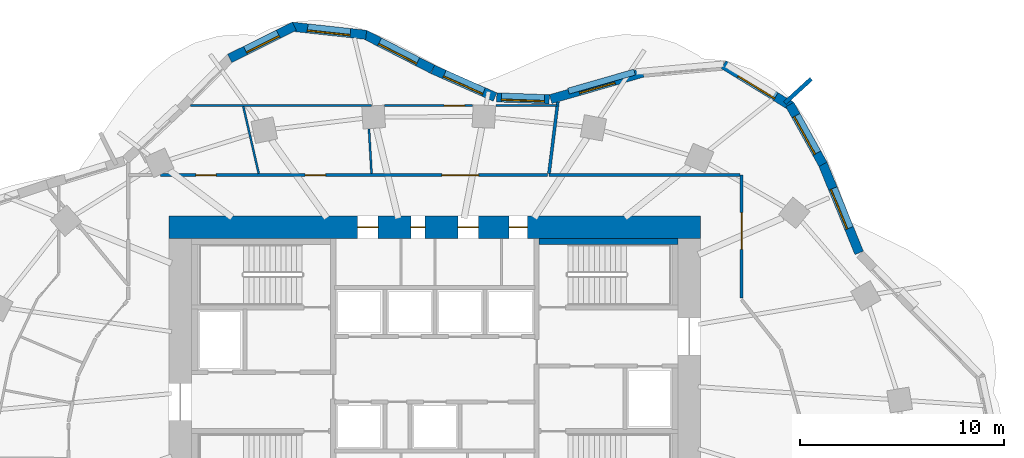
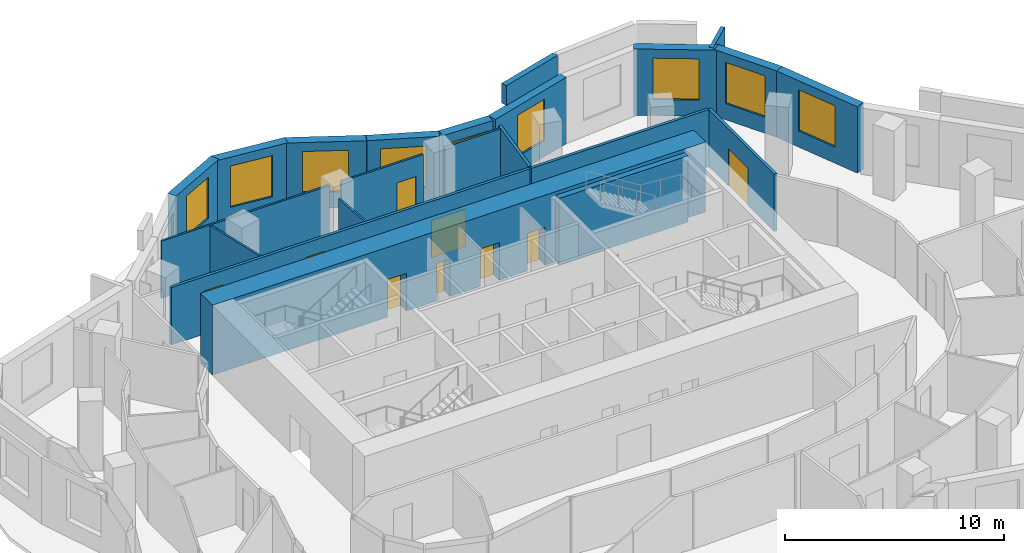
# One storey, part 8 of 10: 22 walls, 9 doors, 9 windows, 18 openings.
"""IFC4 building model written with IfcOpenShell, lengths in metres."""

from ifc_helpers import new_model, si_unit, direction, frame, frame_2d, origin, place, context, subcontext, project, spatial, rectangle, extrude, material, layer, layer_set, type_object, element, fill, save


model = new_model("IFC4")

# Units and contexts
model_context = context("Model", 3, precision=1e-05, world=origin(), true_north=direction((0.0, 1.0)))
body_context = subcontext(model_context, "Body", "Model", "MODEL_VIEW")
ifc_project = project(units=[si_unit("LENGTHUNIT", "METRE"), si_unit("AREAUNIT", "SQUARE_METRE"), si_unit("VOLUMEUNIT", "CUBIC_METRE"), si_unit("PLANEANGLEUNIT", "RADIAN"), si_unit("MASSUNIT", "GRAM", prefix="KILO")], contexts=[model_context])

# Site, building, storey
site_placement = place(None, origin())
site = spatial("IfcSite", under=ifc_project, at=site_placement, CompositionType="ELEMENT")
building_placement = place(site_placement, origin())
building = spatial("IfcBuilding", under=site, at=building_placement, Name="Rubra Terraces Tower", CompositionType="ELEMENT")
storey_placement = place(building_placement, frame((0.0, 0.0, 161.699951171875)))
storey = spatial("IfcBuildingStorey", under=building, at=storey_placement, Name="L39", CompositionType="ELEMENT", Elevation=161.699951171875)

# Wall, opening, window
ifc_material_1 = material(Name="Brick masonry red-brown", Category="masonry")
ifc_layer_1 = layer(ifc_material_1, 0.449951171875)
ifc_layer_set_1 = layer_set([ifc_layer_1], Name="Brick masonry red-brown")
wall_type_1 = type_object("IfcWallType", Name="Brick facade wall 450", PredefinedType="SOLIDWALL", material=ifc_layer_set_1)
wall_1_placement = place(storey_placement, frame((20.753173828125, 10.190673828125, 0.0), z_axis=(0.0, 0.0, 1.0), x_axis=(-0.378471272902, 0.925613037715, 0.0)))
wall_1 = element("IfcWall", 1, at=wall_1_placement, inside=storey, type_object=wall_type_1, Name="Facade wall L39 bay 4", PredefinedType="SOLIDWALL", context=body_context, shape_type="SweptSolid", body=[
    extrude(rectangle(XDim=4.70703125, YDim=0.449951171875, at=frame_2d((2.353515625, 0.0))), origin(), (0.0, 0.0, 1.0), 3.699951171875),
])
opening_1_placement = place(wall_1_placement, frame((1.303466796875, 0.0, 0.89990234375)))
opening_1 = element("IfcOpeningElement", 2, at=opening_1_placement, cuts=wall_1, Name="Opening W1B", PredefinedType="OPENING", context=body_context, shape_type="SweptSolid", body=[
    extrude(rectangle(XDim=2.10009765625, YDim=2.300048828125, at=frame_2d((1.050048828125, 1.14990234375))), frame((0.0, 0.23486328125, 0.0), z_axis=(0.0, -1.0, 0.0), x_axis=(1.0, 0.0, 0.0)), (0.0, 0.0, 1.0), 0.469970703125),
])
ifc_material_2 = material(Name="Clear glass in aluminium frame", Category="aluminium")
window_type_1 = type_object("IfcWindowType", Name="Fixed deep-set window tall storey 2100 x 2300", PartitioningType="SINGLE_PANEL", PredefinedType="WINDOW", material=ifc_material_2)
window_1_placement = place(opening_1_placement, origin())
window_1 = element("IfcWindow", 3, at=window_1_placement, inside=storey, type_object=window_type_1, Name="Window L39 bay 4", OverallHeight=2.300048828125, OverallWidth=2.10009765625, PartitioningType="SINGLE_PANEL", PredefinedType="WINDOW", context=body_context, shape_type="SweptSolid", body=[
    extrude(rectangle(XDim=2.10009765625, YDim=2.300048828125, at=frame_2d((1.050048828125, 1.14990234375))), frame((0.0, 0.135009765625, 0.0), z_axis=(0.0, -1.0, 0.0), x_axis=(1.0, 0.0, 0.0)), (0.0, 0.0, 1.0), 0.06005859375),
])
fill(opening_1, window_1)

wall_2_placement = place(storey_placement, frame((18.9833984375, 14.5234375, 0.0), z_axis=(0.0, 0.0, 1.0), x_axis=(-0.485630534022, 0.874164163316, 0.0)))
wall_2 = element("IfcWall", 4, at=wall_2_placement, inside=storey, type_object=wall_type_1, Name="Facade wall L39 bay 5", PredefinedType="SOLIDWALL", context=body_context, shape_type="SweptSolid", body=[
    extrude(rectangle(XDim=3.34423828125, YDim=0.449951171875, at=frame_2d((1.672119140625, 0.0))), origin(), (0.0, 0.0, 1.0), 3.699951171875),
])
opening_2_placement = place(wall_2_placement, frame((0.6220703125, 0.0, 0.89990234375)))
opening_2 = element("IfcOpeningElement", 5, at=opening_2_placement, cuts=wall_2, Name="Opening W1B", PredefinedType="OPENING", context=body_context, shape_type="SweptSolid", body=[
    extrude(rectangle(XDim=2.10009765625, YDim=2.300048828125, at=frame_2d((1.050048828125, 1.14990234375))), frame((0.0, 0.23486328125, 0.0), z_axis=(0.0, -1.0, 0.0), x_axis=(1.0, 0.0, 0.0)), (0.0, 0.0, 1.0), 0.469970703125),
])
window_2_placement = place(opening_2_placement, origin())
window_2 = element("IfcWindow", 6, at=window_2_placement, inside=storey, type_object=window_type_1, Name="Window L39 bay 5", OverallHeight=2.300048828125, OverallWidth=2.10009765625, PartitioningType="SINGLE_PANEL", PredefinedType="WINDOW", context=body_context, shape_type="SweptSolid", body=[
    extrude(rectangle(XDim=2.10009765625, YDim=2.300048828125, at=frame_2d((1.050048828125, 1.14990234375))), frame((0.0, 0.135009765625, 0.0), z_axis=(0.0, -1.0, 0.0), x_axis=(1.0, 0.0, 0.0)), (0.0, 0.0, 1.0), 0.06005859375),
])
fill(opening_2, window_2)

wall_3_placement = place(storey_placement, frame((17.4384765625, 17.3642578125, 0.0), z_axis=(0.0, 0.0, 1.0), x_axis=(-0.852622865325, 0.522526793117, 0.0)))
wall_3 = element("IfcWall", 7, at=wall_3_placement, inside=storey, type_object=wall_type_1, Name="Facade wall L39 bay 6", PredefinedType="SOLIDWALL", context=body_context, shape_type="SweptSolid", body=[
    extrude(rectangle(XDim=3.896240234375, YDim=0.449951171875, at=frame_2d((1.9482421875, 0.0))), origin(), (0.0, 0.0, 1.0), 3.699951171875),
])
opening_3_placement = place(wall_3_placement, frame((0.898193359375, 0.0, 0.89990234375)))
opening_3 = element("IfcOpeningElement", 8, at=opening_3_placement, cuts=wall_3, Name="Opening W1B", PredefinedType="OPENING", context=body_context, shape_type="SweptSolid", body=[
    extrude(rectangle(XDim=2.10009765625, YDim=2.300048828125, at=frame_2d((1.050048828125, 1.14990234375))), frame((0.0, 0.23486328125, 0.0), z_axis=(0.0, -1.0, 0.0), x_axis=(1.0, 0.0, 0.0)), (0.0, 0.0, 1.0), 0.469970703125),
])
window_3_placement = place(opening_3_placement, origin())
window_3 = element("IfcWindow", 9, at=window_3_placement, inside=storey, type_object=window_type_1, Name="Window L39 bay 6", OverallHeight=2.300048828125, OverallWidth=2.10009765625, PartitioningType="SINGLE_PANEL", PredefinedType="WINDOW", context=body_context, shape_type="SweptSolid", body=[
    extrude(rectangle(XDim=2.10009765625, YDim=2.300048828125, at=frame_2d((1.050048828125, 1.14990234375))), frame((0.0, 0.135009765625, 0.0), z_axis=(0.0, -1.0, 0.0), x_axis=(1.0, 0.0, 0.0)), (0.0, 0.0, 1.0), 0.06005859375),
])
fill(opening_3, window_3)

wall_4_placement = place(storey_placement, frame((10.16748046875, 19.0068359375, 0.0), z_axis=(0.0, 0.0, 1.0), x_axis=(-0.961104057783, -0.276186513271, 0.0)))
wall_4 = element("IfcWall", 10, at=wall_4_placement, inside=storey, type_object=wall_type_1, Name="Facade wall L39 bay 8", PredefinedType="SOLIDWALL", context=body_context, shape_type="SweptSolid", body=[
    extrude(rectangle(XDim=4.68603515625, YDim=0.449951171875, at=frame_2d((2.343017578125, 0.0))), origin(), (0.0, 0.0, 1.0), 3.699951171875),
])
opening_4_placement = place(wall_4_placement, frame((1.443115234375, 0.0, 0.89990234375)))
opening_4 = element("IfcOpeningElement", 11, at=opening_4_placement, cuts=wall_4, Name="Opening W6B", PredefinedType="OPENING", context=body_context, shape_type="SweptSolid", body=[
    extrude(rectangle(XDim=1.800048828125, YDim=2.300048828125, at=frame_2d((0.89990234375, 1.14990234375))), frame((0.0, 0.23486328125, 0.0), z_axis=(0.0, -1.0, 0.0), x_axis=(1.0, 0.0, 0.0)), (0.0, 0.0, 1.0), 0.469970703125),
])
window_type_2 = type_object("IfcWindowType", Name="Fixed deep-set window at wind fin tall storey 1800 x 2300", PartitioningType="SINGLE_PANEL", PredefinedType="WINDOW", material=ifc_material_2)
window_4_placement = place(opening_4_placement, origin())
window_4 = element("IfcWindow", 12, at=window_4_placement, inside=storey, type_object=window_type_2, Name="Window L39 bay 8", OverallHeight=2.300048828125, OverallWidth=1.800048828125, PartitioningType="SINGLE_PANEL", PredefinedType="WINDOW", context=body_context, shape_type="SweptSolid", body=[
    extrude(rectangle(XDim=1.800048828125, YDim=2.300048828125, at=frame_2d((0.89990234375, 1.14990234375))), frame((0.0, 0.135009765625, 0.0), z_axis=(0.0, -1.0, 0.0), x_axis=(1.0, 0.0, 0.0)), (0.0, 0.0, 1.0), 0.06005859375),
])
fill(opening_4, window_4)

wall_5_placement = place(storey_placement, frame((5.593505859375, 17.7041015625, 0.0), z_axis=(0.0, 0.0, 1.0), x_axis=(-0.999339560591, 0.036337895349, 0.0)))
wall_5 = element("IfcWall", 13, at=wall_5_placement, inside=storey, type_object=wall_type_1, Name="Facade wall L39 bay 9", PredefinedType="SOLIDWALL", context=body_context, shape_type="SweptSolid", body=[
    extrude(rectangle(XDim=2.5732421875, YDim=0.449951171875, at=frame_2d((1.28662109375, 0.0))), origin(), (0.0, 0.0, 1.0), 3.699951171875),
])
opening_5_placement = place(wall_5_placement, frame((0.236572265625, 0.0, 0.89990234375)))
opening_5 = element("IfcOpeningElement", 14, at=opening_5_placement, cuts=wall_5, Name="Opening W1B", PredefinedType="OPENING", context=body_context, shape_type="SweptSolid", body=[
    extrude(rectangle(XDim=2.10009765625, YDim=2.300048828125, at=frame_2d((1.050048828125, 1.14990234375))), frame((0.0, 0.23486328125, 0.0), z_axis=(0.0, -1.0, 0.0), x_axis=(1.0, 0.0, 0.0)), (0.0, 0.0, 1.0), 0.469970703125),
])
window_5_placement = place(opening_5_placement, origin())
window_5 = element("IfcWindow", 15, at=window_5_placement, inside=storey, type_object=window_type_1, Name="Window L39 bay 9", OverallHeight=2.300048828125, OverallWidth=2.10009765625, PartitioningType="SINGLE_PANEL", PredefinedType="WINDOW", context=body_context, shape_type="SweptSolid", body=[
    extrude(rectangle(XDim=2.10009765625, YDim=2.300048828125, at=frame_2d((1.050048828125, 1.14990234375))), frame((0.0, 0.135009765625, 0.0), z_axis=(0.0, -1.0, 0.0), x_axis=(1.0, 0.0, 0.0)), (0.0, 0.0, 1.0), 0.06005859375),
])
fill(opening_5, window_5)

wall_6_placement = place(storey_placement, frame((2.941650390625, 17.815673828125, 0.0), z_axis=(0.0, 0.0, 1.0), x_axis=(-0.91414046241, 0.405397601109, 0.0)))
wall_6 = element("IfcWall", 16, at=wall_6_placement, inside=storey, type_object=wall_type_1, Name="Facade wall L39 bay 10", PredefinedType="SOLIDWALL", context=body_context, shape_type="SweptSolid", body=[
    extrude(rectangle(XDim=3.333251953125, YDim=0.449951171875, at=frame_2d((1.66650390625, 0.0))), origin(), (0.0, 0.0, 1.0), 3.699951171875),
])
opening_6_placement = place(wall_6_placement, frame((0.61669921875, 0.0, 0.89990234375)))
opening_6 = element("IfcOpeningElement", 17, at=opening_6_placement, cuts=wall_6, Name="Opening W1B", PredefinedType="OPENING", context=body_context, shape_type="SweptSolid", body=[
    extrude(rectangle(XDim=2.10009765625, YDim=2.300048828125, at=frame_2d((1.050048828125, 1.14990234375))), frame((0.0, 0.23486328125, 0.0), z_axis=(0.0, -1.0, 0.0), x_axis=(1.0, 0.0, 0.0)), (0.0, 0.0, 1.0), 0.469970703125),
])
window_6_placement = place(opening_6_placement, origin())
window_6 = element("IfcWindow", 18, at=window_6_placement, inside=storey, type_object=window_type_1, Name="Window L39 bay 10", OverallHeight=2.300048828125, OverallWidth=2.10009765625, PartitioningType="SINGLE_PANEL", PredefinedType="WINDOW", context=body_context, shape_type="SweptSolid", body=[
    extrude(rectangle(XDim=2.10009765625, YDim=2.300048828125, at=frame_2d((1.050048828125, 1.14990234375))), frame((0.0, 0.135009765625, 0.0), z_axis=(0.0, -1.0, 0.0), x_axis=(1.0, 0.0, 0.0)), (0.0, 0.0, 1.0), 0.06005859375),
])
fill(opening_6, window_6)

wall_7_placement = place(storey_placement, frame((-0.1171875, 19.172607421875, 0.0), z_axis=(0.0, 0.0, 1.0), x_axis=(-0.889471529144, 0.456990589446, 0.0)))
wall_7 = element("IfcWall", 19, at=wall_7_placement, inside=storey, type_object=wall_type_1, Name="Facade wall L39 bay 11", PredefinedType="SOLIDWALL", context=body_context, shape_type="SweptSolid", body=[
    extrude(rectangle(XDim=3.7353515625, YDim=0.449951171875, at=frame_2d((1.86767578125, 0.0))), origin(), (0.0, 0.0, 1.0), 3.699951171875),
])
opening_7_placement = place(wall_7_placement, frame((0.817626953125, 0.0, 0.89990234375)))
opening_7 = element("IfcOpeningElement", 20, at=opening_7_placement, cuts=wall_7, Name="Opening W1B", PredefinedType="OPENING", context=body_context, shape_type="SweptSolid", body=[
    extrude(rectangle(XDim=2.10009765625, YDim=2.300048828125, at=frame_2d((1.050048828125, 1.14990234375))), frame((0.0, 0.23486328125, 0.0), z_axis=(0.0, -1.0, 0.0), x_axis=(1.0, 0.0, 0.0)), (0.0, 0.0, 1.0), 0.469970703125),
])
window_7_placement = place(opening_7_placement, origin())
window_7 = element("IfcWindow", 21, at=window_7_placement, inside=storey, type_object=window_type_1, Name="Window L39 bay 11", OverallHeight=2.300048828125, OverallWidth=2.10009765625, PartitioningType="SINGLE_PANEL", PredefinedType="WINDOW", context=body_context, shape_type="SweptSolid", body=[
    extrude(rectangle(XDim=2.10009765625, YDim=2.300048828125, at=frame_2d((1.050048828125, 1.14990234375))), frame((0.0, 0.135009765625, 0.0), z_axis=(0.0, -1.0, 0.0), x_axis=(1.0, 0.0, 0.0)), (0.0, 0.0, 1.0), 0.06005859375),
])
fill(opening_7, window_7)

wall_8_placement = place(storey_placement, frame((-3.363525390625, 20.857421875, 0.0), z_axis=(0.0, 0.0, 1.0), x_axis=(-0.99407653264, 0.108682322638, 0.0)))
wall_8 = element("IfcWall", 22, at=wall_8_placement, inside=storey, type_object=wall_type_1, Name="Facade wall L39 bay 12", PredefinedType="SOLIDWALL", context=body_context, shape_type="SweptSolid", body=[
    extrude(rectangle(XDim=3.66162109375, YDim=0.449951171875, at=frame_2d((1.830810546875, 0.0))), origin(), (0.0, 0.0, 1.0), 3.699951171875),
])
opening_8_placement = place(wall_8_placement, frame((0.78076171875, 0.0, 0.89990234375)))
opening_8 = element("IfcOpeningElement", 23, at=opening_8_placement, cuts=wall_8, Name="Opening W1B", PredefinedType="OPENING", context=body_context, shape_type="SweptSolid", body=[
    extrude(rectangle(XDim=2.10009765625, YDim=2.300048828125, at=frame_2d((1.050048828125, 1.14990234375))), frame((0.0, 0.23486328125, 0.0), z_axis=(0.0, -1.0, 0.0), x_axis=(1.0, 0.0, 0.0)), (0.0, 0.0, 1.0), 0.469970703125),
])
window_8_placement = place(opening_8_placement, origin())
window_8 = element("IfcWindow", 24, at=window_8_placement, inside=storey, type_object=window_type_1, Name="Window L39 bay 12", OverallHeight=2.300048828125, OverallWidth=2.10009765625, PartitioningType="SINGLE_PANEL", PredefinedType="WINDOW", context=body_context, shape_type="SweptSolid", body=[
    extrude(rectangle(XDim=2.10009765625, YDim=2.300048828125, at=frame_2d((1.050048828125, 1.14990234375))), frame((0.0, 0.135009765625, 0.0), z_axis=(0.0, -1.0, 0.0), x_axis=(1.0, 0.0, 0.0)), (0.0, 0.0, 1.0), 0.06005859375),
])
fill(opening_8, window_8)

wall_9_placement = place(storey_placement, frame((-6.87890625, 21.277587890625, 0.0), z_axis=(0.0, 0.0, 1.0), x_axis=(-0.895268695224, -0.445526613517, 0.0)))
wall_9 = element("IfcWall", 25, at=wall_9_placement, inside=storey, type_object=wall_type_1, Name="Facade wall L39 bay 13", PredefinedType="SOLIDWALL", context=body_context, shape_type="SweptSolid", body=[
    extrude(rectangle(XDim=3.532958984375, YDim=0.449951171875, at=frame_2d((1.7666015625, 0.0))), origin(), (0.0, 0.0, 1.0), 3.699951171875),
])
opening_9_placement = place(wall_9_placement, frame((0.866455078125, 0.0, 0.89990234375)))
opening_9 = element("IfcOpeningElement", 26, at=opening_9_placement, cuts=wall_9, Name="Opening W6B", PredefinedType="OPENING", context=body_context, shape_type="SweptSolid", body=[
    extrude(rectangle(XDim=1.800048828125, YDim=2.300048828125, at=frame_2d((0.89990234375, 1.14990234375))), frame((0.0, 0.23486328125, 0.0), z_axis=(0.0, -1.0, 0.0), x_axis=(1.0, 0.0, 0.0)), (0.0, 0.0, 1.0), 0.469970703125),
])
window_9_placement = place(opening_9_placement, origin())
window_9 = element("IfcWindow", 27, at=window_9_placement, inside=storey, type_object=window_type_2, Name="Window L39 bay 13", OverallHeight=2.300048828125, OverallWidth=1.800048828125, PartitioningType="SINGLE_PANEL", PredefinedType="WINDOW", context=body_context, shape_type="SweptSolid", body=[
    extrude(rectangle(XDim=1.800048828125, YDim=2.300048828125, at=frame_2d((0.89990234375, 1.14990234375))), frame((0.0, 0.135009765625, 0.0), z_axis=(0.0, -1.0, 0.0), x_axis=(1.0, 0.0, 0.0)), (0.0, 0.0, 1.0), 0.06005859375),
])
fill(opening_9, window_9)

# Walls
ifc_layer_2 = layer(ifc_material_1, 0.300048828125)
ifc_layer_set_2 = layer_set([ifc_layer_2], Name="Brick masonry red-brown")
wall_type_2 = type_object("IfcWallType", Name="Brick parapet 300", PredefinedType="PARAPET", material=ifc_layer_set_2)
wall_10_placement = place(storey_placement, frame((9.764892578125, 19.03369140625, 3.900146484375), z_axis=(0.0, 0.0, 1.0), x_axis=(-0.961095330658, -0.276216881069, 0.0)))
element("IfcWall", 28, at=wall_10_placement, inside=storey, type_object=wall_type_2, Name="Parapet L39 bay 8", PredefinedType="PARAPET", context=body_context, shape_type="SweptSolid", body=[
    extrude(rectangle(XDim=3.3623046875, YDim=0.300048828125, at=frame_2d((1.68115234375, 0.0))), origin(), (0.0, 0.0, 1.0), 1.099853515625),
])
ifc_layer_3 = layer(ifc_material_1, 0.199951171875)
ifc_layer_set_3 = layer_set([ifc_layer_3], Name="Brick masonry red-brown")
wall_type_3 = type_object("IfcWallType", Name="Brick wind fin 200", PredefinedType="SOLIDWALL", material=ifc_layer_set_3)
wall_11_placement = place(storey_placement, frame((17.118896484375, 17.52294921875, 0.0), z_axis=(0.0, 0.0, 1.0), x_axis=(0.737866019047, 0.674947211221, 0.0)))
element("IfcWall", 29, at=wall_11_placement, inside=storey, type_object=wall_type_3, Name="Wind fin L39 3", PredefinedType="SOLIDWALL", context=body_context, shape_type="SweptSolid", body=[
    extrude(rectangle(XDim=1.75, YDim=0.199951171875, at=frame_2d((0.875, 0.0))), origin(), (0.0, 0.0, 1.0), 3.699951171875),
])

# Wall, openings, doors
ifc_material_3 = material(Name="Concrete C60", Category="concrete")
ifc_layer_4 = layer(ifc_material_3, 1.10009765625)
ifc_layer_set_4 = layer_set([ifc_layer_4], Name="Concrete C60")
wall_type_4 = type_object("IfcWallType", Name="CORE WALL 1100 C60", PredefinedType="SHEAR", material=ifc_layer_set_4)
wall_12_placement = place(storey_placement, frame((-13.0, 11.449951171875, 0.0), z_axis=(0.0, 0.0, 1.0), x_axis=(1.0, 0.0, 0.0)))
wall_12 = element("IfcWall", 30, at=wall_12_placement, inside=storey, type_object=wall_type_4, Name="CORE WALL N L39", PredefinedType="SHEAR", context=body_context, shape_type="SweptSolid", body=[
    extrude(rectangle(XDim=26.0, YDim=1.10009765625, at=frame_2d((13.0, 0.0))), origin(), (0.0, 0.0, 1.0), 3.900146484375),
])
opening_10_placement = place(wall_12_placement, frame((9.22509765625, 0.0, 0.0)))
opening_10 = element("IfcOpeningElement", 31, at=opening_10_placement, cuts=wall_12, Name="Opening L39.C25", PredefinedType="OPENING", context=body_context, shape_type="SweptSolid", body=[
    extrude(rectangle(XDim=1.0, YDim=2.10009765625, at=frame_2d((0.5, 1.050048828125))), frame((0.0, 0.56005859375, 0.0), z_axis=(0.0, -1.0, 0.0), x_axis=(1.0, 0.0, 0.0)), (0.0, 0.0, 1.0), 1.1201171875),
])
opening_11_placement = place(wall_12_placement, frame((11.824951171875, 0.0, 0.0)))
opening_11 = element("IfcOpeningElement", 32, at=opening_11_placement, cuts=wall_12, Name="Opening L39.C26", PredefinedType="OPENING", context=body_context, shape_type="SweptSolid", body=[
    extrude(rectangle(XDim=0.699951171875, YDim=2.10009765625, at=frame_2d((0.35009765625, 1.050048828125))), frame((0.0, 0.56005859375, 0.0), z_axis=(0.0, -1.0, 0.0), x_axis=(1.0, 0.0, 0.0)), (0.0, 0.0, 1.0), 1.1201171875),
])
opening_12_placement = place(wall_12_placement, frame((14.125, 0.0, 0.0)))
opening_12 = element("IfcOpeningElement", 33, at=opening_12_placement, cuts=wall_12, Name="Opening L39.C27", PredefinedType="OPENING", context=body_context, shape_type="SweptSolid", body=[
    extrude(rectangle(XDim=1.0, YDim=2.10009765625, at=frame_2d((0.5, 1.050048828125))), frame((0.0, 0.56005859375, 0.0), z_axis=(0.0, -1.0, 0.0), x_axis=(1.0, 0.0, 0.0)), (0.0, 0.0, 1.0), 1.1201171875),
])
opening_13_placement = place(wall_12_placement, frame((16.625, 0.0, 0.0)))
opening_13 = element("IfcOpeningElement", 34, at=opening_13_placement, cuts=wall_12, Name="Opening L39.C28", PredefinedType="OPENING", context=body_context, shape_type="SweptSolid", body=[
    extrude(rectangle(XDim=0.89990234375, YDim=2.10009765625, at=frame_2d((0.449951171875, 1.050048828125))), frame((0.0, 0.56005859375, 0.0), z_axis=(0.0, -1.0, 0.0), x_axis=(1.0, 0.0, 0.0)), (0.0, 0.0, 1.0), 1.1201171875),
])
ifc_material_4 = material(Name="Painted steel", Category="steel")
door_type_1 = type_object("IfcDoorType", Name="Fire door 1000x2100 single", OperationType="NOTDEFINED", PredefinedType="DOOR", material=ifc_material_4)
door_1_placement = place(opening_10_placement, origin())
door_1 = element("IfcDoor", 35, at=door_1_placement, inside=storey, type_object=door_type_1, Name="Guest pantry door", OperationType="SINGLE_SWING_LEFT", OverallHeight=2.10009765625, OverallWidth=1.0, PredefinedType="DOOR", context=body_context, shape_type="SweptSolid", body=[
    extrude(rectangle(XDim=1.0, YDim=2.10009765625, at=frame_2d((0.5, 1.050048828125))), frame((0.0, 0.02490234375, 0.0), z_axis=(0.0, -1.0, 0.0), x_axis=(1.0, 0.0, 0.0)), (0.0, 0.0, 1.0), 0.050048828125),
])
fill(opening_10, door_1)
door_2_placement = place(opening_12_placement, origin())
door_2 = element("IfcDoor", 36, at=door_2_placement, inside=storey, type_object=door_type_1, Name="Security and building control room door", OperationType="SINGLE_SWING_LEFT", OverallHeight=2.10009765625, OverallWidth=1.0, PredefinedType="DOOR", context=body_context, shape_type="SweptSolid", body=[
    extrude(rectangle(XDim=1.0, YDim=2.10009765625, at=frame_2d((0.5, 1.050048828125))), frame((0.0, 0.02490234375, 0.0), z_axis=(0.0, -1.0, 0.0), x_axis=(1.0, 0.0, 0.0)), (0.0, 0.0, 1.0), 0.050048828125),
])
fill(opening_12, door_2)
door_type_2 = type_object("IfcDoorType", Name="Fire door 900x2100 single", OperationType="NOTDEFINED", PredefinedType="DOOR", material=ifc_material_4)
door_3_placement = place(opening_13_placement, origin())
door_3 = element("IfcDoor", 37, at=door_3_placement, inside=storey, type_object=door_type_2, Name="Cleaner's store door", OperationType="SINGLE_SWING_RIGHT", OverallHeight=2.10009765625, OverallWidth=0.89990234375, PredefinedType="DOOR", context=body_context, shape_type="SweptSolid", body=[
    extrude(rectangle(XDim=0.89990234375, YDim=2.10009765625, at=frame_2d((0.449951171875, 1.050048828125))), frame((0.0, 0.02490234375, 0.0), z_axis=(0.0, -1.0, 0.0), x_axis=(1.0, 0.0, 0.0)), (0.0, 0.0, 1.0), 0.050048828125),
])
fill(opening_13, door_3)
door_type_3 = type_object("IfcDoorType", Name="Riser access door 700x2100 single", OperationType="NOTDEFINED", PredefinedType="DOOR", material=ifc_material_4)
door_4_placement = place(opening_11_placement, origin())
door_4 = element("IfcDoor", 38, at=door_4_placement, inside=storey, type_object=door_type_3, Name="Electrical riser room door", OperationType="SINGLE_SWING_RIGHT", OverallHeight=2.10009765625, OverallWidth=0.699951171875, PredefinedType="DOOR", context=body_context, shape_type="SweptSolid", body=[
    extrude(rectangle(XDim=0.699951171875, YDim=2.10009765625, at=frame_2d((0.35009765625, 1.050048828125))), frame((0.0, 0.02490234375, 0.0), z_axis=(0.0, -1.0, 0.0), x_axis=(1.0, 0.0, 0.0)), (0.0, 0.0, 1.0), 0.050048828125),
])
fill(opening_11, door_4)

# Wall, opening, door
ifc_material_5 = material(Name="Plasterboard on steel stud, mineral wool infill", Category="steel")
ifc_layer_5 = layer(ifc_material_5, 0.14990234375)
ifc_layer_set_5 = layer_set([ifc_layer_5], Name="Plasterboard on steel stud, mineral wool infill")
wall_type_5 = type_object("IfcWallType", Name="CORRIDOR PARTITION 150", PredefinedType="PARTITIONING", material=ifc_layer_set_5)
wall_13_placement = place(storey_placement, frame((15.0, 7.979248046875, 0.0), z_axis=(0.0, 0.0, 1.0), x_axis=(0.0, 1.0, 0.0)))
wall_13 = element("IfcWall", 39, at=wall_13_placement, inside=storey, type_object=wall_type_5, Name="PARTITION", PredefinedType="PARTITIONING", context=body_context, shape_type="SweptSolid", body=[
    extrude(rectangle(XDim=6.020751953125, YDim=0.14990234375, at=frame_2d((3.01025390625, 0.0))), origin(), (0.0, 0.0, 1.0), 3.197998046875),
])
opening_14_placement = place(wall_13_placement, frame((2.381103515625, 0.0, 0.0)))
opening_14 = element("IfcOpeningElement", 40, at=opening_14_placement, cuts=wall_13, Name="Opening 39-101", PredefinedType="OPENING", context=body_context, shape_type="SweptSolid", body=[
    extrude(rectangle(XDim=1.800048828125, YDim=2.10009765625, at=frame_2d((0.89990234375, 1.050048828125))), frame((0.0, 0.0849609375, 0.0), z_axis=(0.0, -1.0, 0.0), x_axis=(1.0, 0.0, 0.0)), (0.0, 0.0, 1.0), 0.169921875),
])
ifc_material_6 = material(Name="Painted timber door leaf, double", Category="wood")
door_type_4 = type_object("IfcDoorType", Name="ROOM DOUBLE DOOR 1800 X 2100", OperationType="DOUBLE_DOOR_SINGLE_SWING", PredefinedType="DOOR", material=ifc_material_6)
door_5_placement = place(opening_14_placement, origin())
door_5 = element("IfcDoor", 41, at=door_5_placement, inside=storey, type_object=door_type_4, Name="DOOR 39-101", OperationType="DOUBLE_DOOR_SINGLE_SWING", OverallHeight=2.10009765625, OverallWidth=1.800048828125, PredefinedType="DOOR", context=body_context, shape_type="SweptSolid", body=[
    extrude(rectangle(XDim=1.800048828125, YDim=2.10009765625, at=frame_2d((0.89990234375, 1.050048828125))), frame((0.0, 0.02490234375, 0.0), z_axis=(0.0, -1.0, 0.0), x_axis=(1.0, 0.0, 0.0)), (0.0, 0.0, 1.0), 0.050048828125),
])
fill(opening_14, door_5)

# Wall
wall_14_placement = place(storey_placement, frame((14.925048828125, 14.0, 0.0), z_axis=(0.0, 0.0, 1.0), x_axis=(-1.0, 0.0, 0.0)))
element("IfcWall", 42, at=wall_14_placement, inside=storey, type_object=wall_type_5, Name="PARTITION", PredefinedType="PARTITIONING", context=body_context, shape_type="SweptSolid", body=[
    extrude(rectangle(XDim=9.353515625, YDim=0.14990234375, at=frame_2d((4.6767578125, 0.0))), origin(), (0.0, 0.0, 1.0), 3.197998046875),
])

# Wall, openings, doors
wall_15_placement = place(storey_placement, frame((5.49658203125, 14.0, 0.0), z_axis=(0.0, 0.0, 1.0), x_axis=(-1.0, 0.0, 0.0)))
wall_15 = element("IfcWall", 43, at=wall_15_placement, inside=storey, type_object=wall_type_5, Name="PARTITION", PredefinedType="PARTITIONING", context=body_context, shape_type="SweptSolid", body=[
    extrude(rectangle(XDim=18.91650390625, YDim=0.14990234375, at=frame_2d((9.458251953125, 0.0))), origin(), (0.0, 0.0, 1.0), 3.197998046875),
])
opening_15_placement = place(wall_15_placement, frame((3.360107421875, 0.0, 0.0)))
opening_15 = element("IfcOpeningElement", 44, at=opening_15_placement, cuts=wall_15, Name="Opening 39-102", PredefinedType="OPENING", context=body_context, shape_type="SweptSolid", body=[
    extrude(rectangle(XDim=1.800048828125, YDim=2.10009765625, at=frame_2d((0.89990234375, 1.050048828125))), frame((0.0, 0.0849609375, 0.0), z_axis=(0.0, -1.0, 0.0), x_axis=(1.0, 0.0, 0.0)), (0.0, 0.0, 1.0), 0.169921875),
])
opening_16_placement = place(wall_15_placement, frame((10.845947265625, 0.0, 0.0)))
opening_16 = element("IfcOpeningElement", 45, at=opening_16_placement, cuts=wall_15, Name="Opening 39-104", PredefinedType="OPENING", context=body_context, shape_type="SweptSolid", body=[
    extrude(rectangle(XDim=1.0, YDim=2.39990234375, at=frame_2d((0.5, 1.199951171875))), frame((0.0, 0.0849609375, 0.0), z_axis=(0.0, -1.0, 0.0), x_axis=(1.0, 0.0, 0.0)), (0.0, 0.0, 1.0), 0.169921875),
])
opening_17_placement = place(wall_15_placement, frame((16.194091796875, 0.0, 0.0)))
opening_17 = element("IfcOpeningElement", 46, at=opening_17_placement, cuts=wall_15, Name="Opening 39-105", PredefinedType="OPENING", context=body_context, shape_type="SweptSolid", body=[
    extrude(rectangle(XDim=1.0, YDim=2.39990234375, at=frame_2d((0.5, 1.199951171875))), frame((0.0, 0.0849609375, 0.0), z_axis=(0.0, -1.0, 0.0), x_axis=(1.0, 0.0, 0.0)), (0.0, 0.0, 1.0), 0.169921875),
])
ifc_material_7 = material(Name="Glazed aluminium meeting door leaf", Category="aluminium")
door_type_5 = type_object("IfcDoorType", Name="MEETING ROOM GLAZED DOOR 1000 X 2400", OperationType="SINGLE_SWING_LEFT", PredefinedType="DOOR", material=ifc_material_7)
door_6_placement = place(opening_16_placement, origin())
door_6 = element("IfcDoor", 47, at=door_6_placement, inside=storey, type_object=door_type_5, Name="DOOR 39-104", OperationType="SINGLE_SWING_RIGHT", OverallHeight=2.39990234375, OverallWidth=1.0, PredefinedType="DOOR", context=body_context, shape_type="SweptSolid", body=[
    extrude(rectangle(XDim=1.0, YDim=2.39990234375, at=frame_2d((0.5, 1.199951171875))), frame((0.0, 0.02490234375, 0.0), z_axis=(0.0, -1.0, 0.0), x_axis=(1.0, 0.0, 0.0)), (0.0, 0.0, 1.0), 0.050048828125),
])
fill(opening_16, door_6)
door_7_placement = place(opening_17_placement, origin())
door_7 = element("IfcDoor", 48, at=door_7_placement, inside=storey, type_object=door_type_5, Name="DOOR 39-105", OperationType="SINGLE_SWING_RIGHT", OverallHeight=2.39990234375, OverallWidth=1.0, PredefinedType="DOOR", context=body_context, shape_type="SweptSolid", body=[
    extrude(rectangle(XDim=1.0, YDim=2.39990234375, at=frame_2d((0.5, 1.199951171875))), frame((0.0, 0.02490234375, 0.0), z_axis=(0.0, -1.0, 0.0), x_axis=(1.0, 0.0, 0.0)), (0.0, 0.0, 1.0), 0.050048828125),
])
fill(opening_17, door_7)
door_8_placement = place(opening_15_placement, origin())
door_8 = element("IfcDoor", 49, at=door_8_placement, inside=storey, type_object=door_type_4, Name="DOOR 39-102", OperationType="DOUBLE_DOOR_SINGLE_SWING", OverallHeight=2.10009765625, OverallWidth=1.800048828125, PredefinedType="DOOR", context=body_context, shape_type="SweptSolid", body=[
    extrude(rectangle(XDim=1.800048828125, YDim=2.10009765625, at=frame_2d((0.89990234375, 1.050048828125))), frame((0.0, 0.02490234375, 0.0), z_axis=(0.0, -1.0, 0.0), x_axis=(1.0, 0.0, 0.0)), (0.0, 0.0, 1.0), 0.050048828125),
])
fill(opening_15, door_8)

# Walls
ifc_material_8 = material(Name="Concrete C40", Category="concrete")
ifc_layer_6 = layer(ifc_material_8, 0.300048828125)
ifc_layer_set_6 = layer_set([ifc_layer_6], Name="Concrete C40")
wall_type_6 = type_object("IfcWallType", Name="Core lining wall 300 concrete", PredefinedType="SOLIDWALL", material=ifc_layer_set_6)
wall_16_placement = place(storey_placement, frame((11.89990234375, 10.75, 0.0), z_axis=(0.0, 0.0, 1.0), x_axis=(-1.0, 0.0, 0.0)))
element("IfcWall", 50, at=wall_16_placement, inside=storey, type_object=wall_type_6, Name="CORE LINING WALL L39", PredefinedType="SOLIDWALL", context=body_context, shape_type="SweptSolid", body=[
    extrude(rectangle(XDim=6.7998046875, YDim=0.300048828125, at=frame_2d((3.39990234375, 0.0))), origin(), (0.0, 0.0, 1.0), 3.699951171875),
])
ifc_material_9 = material(Name="Plasterboard on steel stud", Category="steel")
ifc_layer_7 = layer(ifc_material_9, 0.10009765625)
ifc_layer_set_7 = layer_set([ifc_layer_7], Name="Plasterboard on steel stud")
wall_type_7 = type_object("IfcWallType", Name="ROOM PARTITION 100", PredefinedType="PARTITIONING", material=ifc_layer_set_7)
wall_17_placement = place(storey_placement, frame((-11.95068359375, 17.39990234375, 0.0), z_axis=(0.0, 0.0, 1.0), x_axis=(1.0, 0.0, 0.0)))
element("IfcWall", 51, at=wall_17_placement, inside=storey, type_object=wall_type_7, Name="PARTITION", PredefinedType="PARTITIONING", context=body_context, shape_type="SweptSolid", body=[
    extrude(rectangle(XDim=8.837890625, YDim=0.10009765625, at=frame_2d((4.4189453125, 0.0))), origin(), (0.0, 0.0, 1.0), 3.197998046875),
])

# Wall, opening, door
wall_18_placement = place(storey_placement, frame((-2.463134765625, 17.39990234375, 0.0), z_axis=(0.0, 0.0, 1.0), x_axis=(1.0, 0.0, 0.0)))
wall_18 = element("IfcWall", 52, at=wall_18_placement, inside=storey, type_object=wall_type_7, Name="PARTITION", PredefinedType="PARTITIONING", context=body_context, shape_type="SweptSolid", body=[
    extrude(rectangle(XDim=4.31103515625, YDim=0.10009765625, at=frame_2d((2.155517578125, 0.0))), origin(), (0.0, 0.0, 1.0), 3.197998046875),
])
opening_18_placement = place(wall_18_placement, frame((2.912109375, 0.0, 0.0)))
opening_18 = element("IfcOpeningElement", 53, at=opening_18_placement, cuts=wall_18, Name="Opening 39-103", PredefinedType="OPENING", context=body_context, shape_type="SweptSolid", body=[
    extrude(rectangle(XDim=1.0, YDim=2.10009765625, at=frame_2d((0.5, 1.050048828125))), frame((0.0, 0.06005859375, 0.0), z_axis=(0.0, -1.0, 0.0), x_axis=(1.0, 0.0, 0.0)), (0.0, 0.0, 1.0), 0.1201171875),
])
ifc_material_10 = material(Name="Painted timber door leaf", Category="wood")
door_type_6 = type_object("IfcDoorType", Name="ROOM DOOR 1000 X 2100", OperationType="SINGLE_SWING_LEFT", PredefinedType="DOOR", material=ifc_material_10)
door_9_placement = place(opening_18_placement, origin())
door_9 = element("IfcDoor", 54, at=door_9_placement, inside=storey, type_object=door_type_6, Name="DOOR 39-103", OperationType="SINGLE_SWING_LEFT", OverallHeight=2.10009765625, OverallWidth=1.0, PredefinedType="DOOR", context=body_context, shape_type="SweptSolid", body=[
    extrude(rectangle(XDim=1.0, YDim=2.10009765625, at=frame_2d((0.5, 1.050048828125))), frame((0.0, 0.02490234375, 0.0), z_axis=(0.0, -1.0, 0.0), x_axis=(1.0, 0.0, 0.0)), (0.0, 0.0, 1.0), 0.050048828125),
])
fill(opening_18, door_9)

# Walls
wall_19_placement = place(storey_placement, frame((2.980712890625, 17.39990234375, 0.0), z_axis=(0.0, 0.0, 1.0), x_axis=(1.0, 0.0, 0.0)))
element("IfcWall", 55, at=wall_19_placement, inside=storey, type_object=wall_type_7, Name="PARTITION", PredefinedType="PARTITIONING", context=body_context, shape_type="SweptSolid", body=[
    extrude(rectangle(XDim=2.990478515625, YDim=0.10009765625, at=frame_2d((1.4951171875, 0.0))), origin(), (0.0, 0.0, 1.0), 3.197998046875),
])
wall_20_placement = place(storey_placement, frame((-3.102294921875, 14.074951171875, 0.0), z_axis=(0.0, 0.0, 1.0), x_axis=(-0.055904356841, 0.998436128596, 0.0)))
element("IfcWall", 56, at=wall_20_placement, inside=storey, type_object=wall_type_7, Name="PARTITION", PredefinedType="PARTITIONING", context=body_context, shape_type="SweptSolid", body=[
    extrude(rectangle(XDim=2.17919921875, YDim=0.10009765625, at=frame_2d((1.089599609375, 0.0))), origin(), (0.0, 0.0, 1.0), 3.197998046875),
])
wall_21_placement = place(storey_placement, frame((-8.618408203125, 14.072998046875, 0.0), z_axis=(0.0, 0.0, 1.0), x_axis=(-0.224048430302, 0.974578011695, 0.0)))
element("IfcWall", 57, at=wall_21_placement, inside=storey, type_object=wall_type_7, Name="PARTITION", PredefinedType="PARTITIONING", context=body_context, shape_type="SweptSolid", body=[
    extrude(rectangle(XDim=3.36376953125, YDim=0.10009765625, at=frame_2d((1.681884765625, 0.0))), origin(), (0.0, 0.0, 1.0), 3.197998046875),
])
ifc_layer_8 = layer(ifc_material_9, 0.14990234375)
ifc_layer_set_8 = layer_set([ifc_layer_8], Name="Plasterboard on steel stud")
wall_type_8 = type_object("IfcWallType", Name="ROOM PARTITION 150", PredefinedType="PARTITIONING", material=ifc_layer_set_8)
wall_22_placement = place(storey_placement, frame((6.012939453125, 17.57470703125, 0.0), z_axis=(0.0, 0.0, 1.0), x_axis=(-0.122526572003, -0.992465233221, 0.0)))
element("IfcWall", 58, at=wall_22_placement, inside=storey, type_object=wall_type_8, Name="PARTITION", PredefinedType="PARTITIONING", context=body_context, shape_type="SweptSolid", body=[
    extrude(rectangle(XDim=3.52685546875, YDim=0.14990234375, at=frame_2d((1.763427734375, 0.0))), origin(), (0.0, 0.0, 1.0), 3.234130859375),
])

save(model, "model.ifc")
